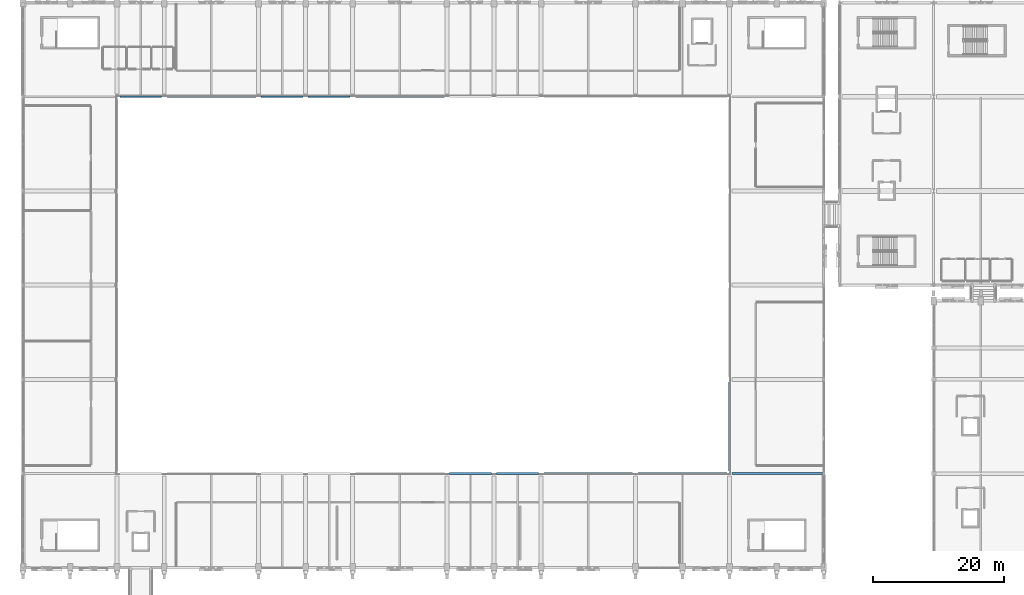
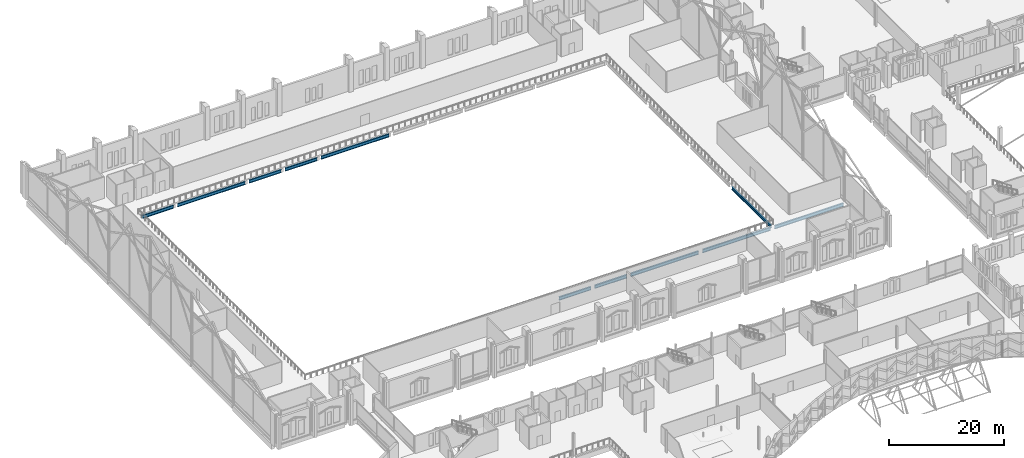
# One storey, part 64 of 220: 11 beams.
"""IFC4 building model written with IfcOpenShell, lengths in metres."""

from ifc_helpers import new_model, si_unit, direction, frame, origin, origin_2d, place, context, subcontext, project, spatial, i_section, extrude, material, material_profile, profile_set, type_object, element, save


model = new_model("IFC4")

# Units and contexts
model_context = context("Model", 3, precision=1e-05, world=origin(), true_north=direction((0.0, 1.0)))
body_context = subcontext(model_context, "Body", "Model", "MODEL_VIEW")
ifc_project = project(units=[si_unit("LENGTHUNIT", "METRE"), si_unit("AREAUNIT", "SQUARE_METRE"), si_unit("VOLUMEUNIT", "CUBIC_METRE"), si_unit("PLANEANGLEUNIT", "RADIAN"), si_unit("MASSUNIT", "GRAM", prefix="KILO")], contexts=[model_context])

# Site, building, storey
site_placement = place(None, origin())
site = spatial("IfcSite", under=ifc_project, at=site_placement, CompositionType="ELEMENT")
building_placement = place(site_placement, origin())
building = spatial("IfcBuilding", under=site, at=building_placement, Name="Cendralis Lancet Convention Centre", CompositionType="ELEMENT")
storey_placement = place(building_placement, frame((0.0, 0.0, 5.39990234375)))
storey = spatial("IfcBuildingStorey", under=building, at=storey_placement, Name="L01", CompositionType="ELEMENT", Elevation=5.39990234375)

# Beams
ifc_material = material(Name="Steel S355", Category="steel")
ifc_material_profile_1 = material_profile(ifc_material, i_section(OverallWidth=0.300048828125, OverallDepth=0.68994140625, WebThickness=0.014404296875, FlangeThickness=0.027099609375, FilletRadius=0.027099609375, at=origin_2d()), Name="HEA 700")
ifc_profile_set_1 = profile_set([ifc_material_profile_1], Name="Steel S355")
beam_type_1 = type_object("IfcBeamType", Name="STR-BM-SG08", PredefinedType="BEAM", material=ifc_profile_set_1)
for number, where, z_axis, x_axis, name in (
    (1, (65.199951171875, 64.800048828125, -0.625), (1.0, 0.0, 0.0), (0.0, 1.0, 0.0), "L01 Beam SG08 #1205"),
    (2, (72.39990234375, 64.800048828125, -0.625), (1.0, 0.0, 0.0), (0.0, 1.0, 0.0), "L01 Beam SG08 #1207"),
):
    element("IfcBeam", number, at=place(storey_placement, frame(where, z_axis=z_axis, x_axis=x_axis)), inside=storey, type_object=beam_type_1, Name=name, PredefinedType="BEAM", context=body_context, shape_type="SweptSolid", body=[
        extrude(i_section(OverallWidth=0.300048828125, OverallDepth=0.68994140625, WebThickness=0.014404296875, FlangeThickness=0.027099609375, FilletRadius=0.027099609375, at=origin_2d()), origin(), (0.0, 0.0, 1.0), 6.400146484375),
    ])
beam_1_placement = place(storey_placement, frame((79.60009765625, 64.800048828125, -0.625), z_axis=(1.0, 0.0, 0.0), x_axis=(0.0, 1.0, 0.0)))
element("IfcBeam", 3, at=beam_1_placement, inside=storey, type_object=beam_type_1, Name="L01 Beam SG08 #1209", PredefinedType="BEAM", context=body_context, shape_type="SweptSolid", body=[
    extrude(i_section(OverallWidth=0.300048828125, OverallDepth=0.68994140625, WebThickness=0.014404296875, FlangeThickness=0.027099609375, FilletRadius=0.027099609375, at=origin_2d()), origin(), (0.0, 0.0, 1.0), 13.599853515625),
])
beam_2_placement = place(storey_placement, frame((94.0, 64.800048828125, -0.625), z_axis=(1.0, 0.0, 0.0), x_axis=(0.0, 1.0, 0.0)))
element("IfcBeam", 4, at=beam_2_placement, inside=storey, type_object=beam_type_1, Name="L01 Beam SG08 #1211", PredefinedType="BEAM", context=body_context, shape_type="SweptSolid", body=[
    extrude(i_section(OverallWidth=0.300048828125, OverallDepth=0.68994140625, WebThickness=0.014404296875, FlangeThickness=0.027099609375, FilletRadius=0.027099609375, at=origin_2d()), origin(), (0.0, 0.0, 1.0), 13.60009765625),
])
beam_3_placement = place(storey_placement, frame((108.39990234375, 64.800048828125, -0.625), z_axis=(1.0, 0.0, 0.0), x_axis=(0.0, 1.0, 0.0)))
element("IfcBeam", 5, at=beam_3_placement, inside=storey, type_object=beam_type_1, Name="L01 Beam SG08 #1213", PredefinedType="BEAM", context=body_context, shape_type="SweptSolid", body=[
    extrude(i_section(OverallWidth=0.300048828125, OverallDepth=0.68994140625, WebThickness=0.014404296875, FlangeThickness=0.027099609375, FilletRadius=0.027099609375, at=origin_2d()), origin(), (0.0, 0.0, 1.0), 13.822265625),
])
beam_4_placement = place(storey_placement, frame((14.800048828125, 122.39990234375, -0.625), z_axis=(1.0, 0.0, 0.0), x_axis=(0.0, 1.0, 0.0)))
element("IfcBeam", 6, at=beam_4_placement, inside=storey, type_object=beam_type_1, Name="L01 Beam SG08 #1237", PredefinedType="BEAM", context=body_context, shape_type="SweptSolid", body=[
    extrude(i_section(OverallWidth=0.300048828125, OverallDepth=0.68994140625, WebThickness=0.014404296875, FlangeThickness=0.027099609375, FilletRadius=0.027099609375, at=origin_2d()), origin(), (0.0, 0.0, 1.0), 6.39990234375),
])
beam_5_placement = place(storey_placement, frame((22.0, 122.39990234375, -0.625), z_axis=(1.0, 0.0, 0.0), x_axis=(0.0, 1.0, 0.0)))
element("IfcBeam", 7, at=beam_5_placement, inside=storey, type_object=beam_type_1, Name="L01 Beam SG08 #1239", PredefinedType="BEAM", context=body_context, shape_type="SweptSolid", body=[
    extrude(i_section(OverallWidth=0.300048828125, OverallDepth=0.68994140625, WebThickness=0.014404296875, FlangeThickness=0.027099609375, FilletRadius=0.027099609375, at=origin_2d()), origin(), (0.0, 0.0, 1.0), 13.60009765625),
])
beam_6_placement = place(storey_placement, frame((36.39990234375, 122.39990234375, -0.625), z_axis=(1.0, 0.0, 0.0), x_axis=(0.0, 1.0, 0.0)))
element("IfcBeam", 8, at=beam_6_placement, inside=storey, type_object=beam_type_1, Name="L01 Beam SG08 #1241", PredefinedType="BEAM", context=body_context, shape_type="SweptSolid", body=[
    extrude(i_section(OverallWidth=0.300048828125, OverallDepth=0.68994140625, WebThickness=0.014404296875, FlangeThickness=0.027099609375, FilletRadius=0.027099609375, at=origin_2d()), origin(), (0.0, 0.0, 1.0), 6.400146484375),
])
beam_7_placement = place(storey_placement, frame((43.60009765625, 122.39990234375, -0.625), z_axis=(1.0, 0.0, 0.0), x_axis=(0.0, 1.0, 0.0)))
element("IfcBeam", 9, at=beam_7_placement, inside=storey, type_object=beam_type_1, Name="L01 Beam SG08 #1243", PredefinedType="BEAM", context=body_context, shape_type="SweptSolid", body=[
    extrude(i_section(OverallWidth=0.300048828125, OverallDepth=0.68994140625, WebThickness=0.014404296875, FlangeThickness=0.027099609375, FilletRadius=0.027099609375, at=origin_2d()), origin(), (0.0, 0.0, 1.0), 6.39990234375),
])
beam_8_placement = place(storey_placement, frame((50.800048828125, 122.39990234375, -0.625), z_axis=(1.0, 0.0, 0.0), x_axis=(0.0, 1.0, 0.0)))
element("IfcBeam", 10, at=beam_8_placement, inside=storey, type_object=beam_type_1, Name="L01 Beam SG08 #1245", PredefinedType="BEAM", context=body_context, shape_type="SweptSolid", body=[
    extrude(i_section(OverallWidth=0.300048828125, OverallDepth=0.68994140625, WebThickness=0.014404296875, FlangeThickness=0.027099609375, FilletRadius=0.027099609375, at=origin_2d()), origin(), (0.0, 0.0, 1.0), 13.599853515625),
])
ifc_material_profile_2 = material_profile(ifc_material, i_section(OverallWidth=0.300048828125, OverallDepth=0.639892578125, WebThickness=0.013427734375, FlangeThickness=0.02587890625, FilletRadius=0.027099609375, at=origin_2d()), Name="HEA 650")
ifc_profile_set_2 = profile_set([ifc_material_profile_2], Name="Steel S355")
beam_type_2 = type_object("IfcBeamType", Name="STR-BM-SG09", PredefinedType="BEAM", material=ifc_profile_set_2)
beam_9_placement = place(storey_placement, frame((108.0, 65.199951171875, -0.599853515625), z_axis=(0.0, 1.0, 0.0), x_axis=(-1.0, 0.0, 0.0)))
element("IfcBeam", 11, at=beam_9_placement, inside=storey, type_object=beam_type_2, Name="L01 Beam SG09 #1289", PredefinedType="BEAM", context=body_context, shape_type="SweptSolid", body=[
    extrude(i_section(OverallWidth=0.300048828125, OverallDepth=0.639892578125, WebThickness=0.013427734375, FlangeThickness=0.02587890625, FilletRadius=0.027099609375, at=origin_2d()), origin(), (0.0, 0.0, 1.0), 13.60009765625),
])

save(model, "model.ifc")
